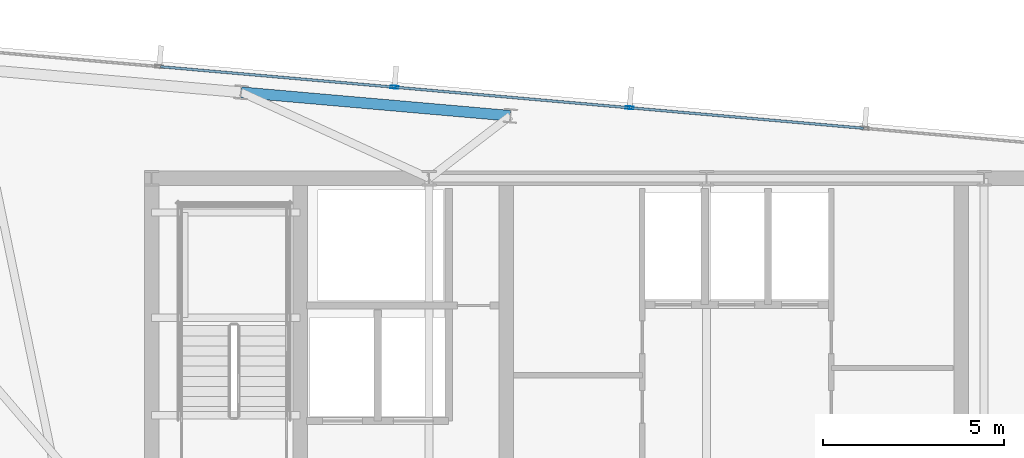
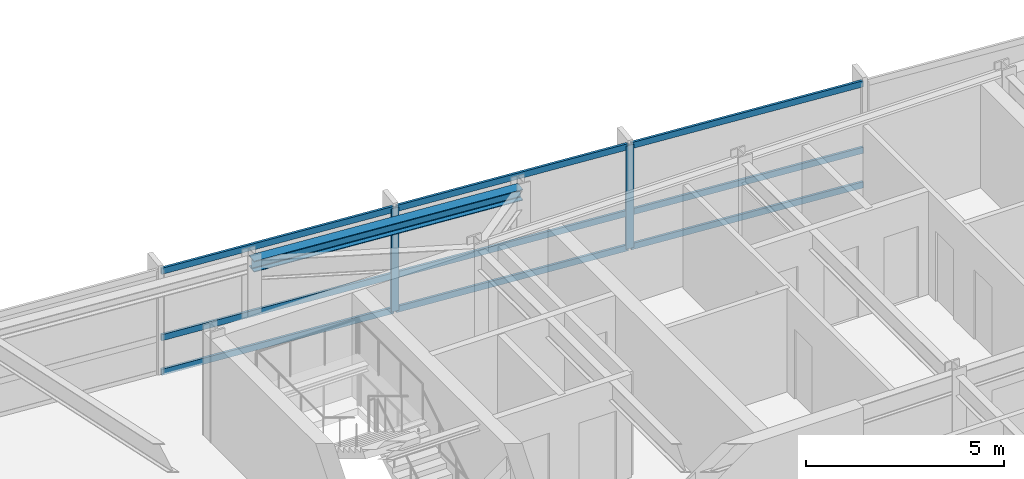
# One storey, part 16 of 24: 11 members, 1 beam, 1 element without a shape of its own.
"""IFC4 building model written with IfcOpenShell, lengths in metres."""

from ifc_helpers import new_model, si_unit, direction, frame, origin, origin_2d, place, context, subcontext, project, spatial, hollow_rectangle, i_section, extrude, material, material_profile, profile_set, type_object, element, aggregate, save


model = new_model("IFC4")

# Units and contexts
model_context = context("Model", 3, precision=1e-05, world=origin(), true_north=direction((0.0, 1.0)))
body_context = subcontext(model_context, "Body", "Model", "MODEL_VIEW")
ifc_project = project(units=[si_unit("LENGTHUNIT", "METRE"), si_unit("AREAUNIT", "SQUARE_METRE"), si_unit("VOLUMEUNIT", "CUBIC_METRE"), si_unit("PLANEANGLEUNIT", "RADIAN"), si_unit("MASSUNIT", "GRAM", prefix="KILO")], contexts=[model_context])

# Site, building, storey
site_placement = place(None, origin())
site = spatial("IfcSite", under=ifc_project, at=site_placement, CompositionType="ELEMENT")
building_placement = place(site_placement, origin())
building = spatial("IfcBuilding", under=site, at=building_placement, Name="Yelkora Congress Tower", CompositionType="ELEMENT")
storey_placement = place(building_placement, frame((0.0, 0.0, 296.5)))
storey = spatial("IfcBuildingStorey", under=building, at=storey_placement, Name="L83", CompositionType="ELEMENT", Elevation=296.5)

# Beam
ifc_material_1 = material(Name="Steel S355J2", Category="steel")
ifc_material_profile_1 = material_profile(ifc_material_1, i_section(OverallWidth=0.300048828125, OverallDepth=0.340087890625, WebThickness=0.011962890625, FlangeThickness=0.021484375, FilletRadius=0.027099609375, at=origin_2d()), Name="HEB 340")
ifc_profile_set_1 = profile_set([ifc_material_profile_1], Name="Steel S355J2")
beam_type = type_object("IfcBeamType", Name="BM-SPAN-HEB340", PredefinedType="SPANDREL", material=ifc_profile_set_1)
beam_placement = place(storey_placement, frame((32.968505859375, 47.927490234375, 3.010009765625), z_axis=(-0.996195771192, 0.087143476284, 0.0), x_axis=(-0.087143476284, -0.996195771192, 0.0)))
element("IfcBeam", 1, at=beam_placement, inside=storey, type_object=beam_type, Name="L83 Perimeter Beam 10", PredefinedType="SPANDREL", context=body_context, shape_type="SweptSolid", body=[
    extrude(i_section(OverallWidth=0.300048828125, OverallDepth=0.340087890625, WebThickness=0.011962890625, FlangeThickness=0.021484375, FilletRadius=0.027099609375, at=origin_2d()), origin(), (0.0, 0.0, 1.0), 7.483154296875),
])

# Curtain wall, members
ifc_material_2 = material(Name="Anodised aluminium and insulated glass", Category="aluminium")
curtain_wall_type = type_object("IfcCurtainWallType", Name="CW-SYS-SKY", PredefinedType="NOTDEFINED", material=ifc_material_2)
curtain_wall_placement = place(storey_placement, origin())
curtain_wall = element("IfcCurtainWall", 2, at=curtain_wall_placement, inside=storey, type_object=curtain_wall_type, Name="L83 Unitised Curtain Wall 10", PredefinedType="NOTDEFINED")
ifc_material_3 = material(Name="Anodised aluminium 6063-T6", Category="aluminium")
ifc_material_profile_2 = material_profile(ifc_material_3, hollow_rectangle(XDim=0.074951171875, YDim=0.219970703125, WallThickness=0.0048828125, at=origin_2d()), Name="ALU 75x220x5")
ifc_profile_set_2 = profile_set([ifc_material_profile_2], Name="Anodised aluminium 6063-T6")
member_type_1 = type_object("IfcMemberType", Name="MEM-ML-SKY", PredefinedType="MULLION", material=ifc_profile_set_2)
member_1_placement = place(storey_placement, frame((29.759765625, 48.719970703125, 0.0), z_axis=(0.0, 0.0, 1.0), x_axis=(0.087156639893, 0.996194619601, 0.0)))
member_1 = element("IfcMember", 3, at=member_1_placement, type_object=member_type_1, Name="CW-SKY mullion 4", PredefinedType="MULLION", context=body_context, shape_type="SweptSolid", body=[
    extrude(hollow_rectangle(XDim=0.074951171875, YDim=0.219970703125, WallThickness=0.0048828125, at=origin_2d()), origin(), (0.0, 0.0, 1.0), 3.179931640625),
])
member_2_placement = place(storey_placement, frame((36.266357421875, 48.15087890625, 0.0), z_axis=(0.0, 0.0, 1.0), x_axis=(0.087156639893, 0.996194619601, 0.0)))
member_2 = element("IfcMember", 4, at=member_2_placement, type_object=member_type_1, Name="CW-SKY mullion 5", PredefinedType="MULLION", context=body_context, shape_type="SweptSolid", body=[
    extrude(hollow_rectangle(XDim=0.074951171875, YDim=0.219970703125, WallThickness=0.0048828125, at=origin_2d()), origin(), (0.0, 0.0, 1.0), 3.179931640625),
])
ifc_material_profile_3 = material_profile(ifc_material_3, hollow_rectangle(XDim=0.070068359375, YDim=0.18994140625, WallThickness=0.00390625, at=origin_2d()), Name="ALU 70x190x4")
ifc_profile_set_3 = profile_set([ifc_material_profile_3], Name="Anodised aluminium 6063-T6")
member_type_2 = type_object("IfcMemberType", Name="MEM-TR-SKY", PredefinedType="USERDEFINED", material=ifc_profile_set_3)
member_3_placement = place(storey_placement, frame((23.29052734375, 49.2861328125, 0.034912109375), z_axis=(0.996194333134, -0.087159914135, 0.0), x_axis=(0.087159914135, 0.996194333134, 0.0)))
member_3 = element("IfcMember", 5, at=member_3_placement, type_object=member_type_2, Name="CW-SKY transom 3.1", ObjectType="TRANSOM", PredefinedType="USERDEFINED", context=body_context, shape_type="SweptSolid", body=[
    extrude(hollow_rectangle(XDim=0.070068359375, YDim=0.18994140625, WallThickness=0.00390625, at=origin_2d()), origin(), (0.0, 0.0, 1.0), 6.45654296875),
])
member_4_placement = place(storey_placement, frame((23.29052734375, 49.2861328125, 1.10009765625), z_axis=(0.996194333134, -0.087159914135, 0.0), x_axis=(0.087159914135, 0.996194333134, 0.0)))
member_4 = element("IfcMember", 6, at=member_4_placement, type_object=member_type_2, Name="CW-SKY transom 3.2", ObjectType="TRANSOM", PredefinedType="USERDEFINED", context=body_context, shape_type="SweptSolid", body=[
    extrude(hollow_rectangle(XDim=0.070068359375, YDim=0.18994140625, WallThickness=0.00390625, at=origin_2d()), origin(), (0.0, 0.0, 1.0), 6.45654296875),
])
member_5_placement = place(storey_placement, frame((23.29052734375, 49.2861328125, 3.14501953125), z_axis=(0.996194333134, -0.087159914135, 0.0), x_axis=(0.087159914135, 0.996194333134, 0.0)))
member_5 = element("IfcMember", 7, at=member_5_placement, type_object=member_type_2, Name="CW-SKY transom 3.3", ObjectType="TRANSOM", PredefinedType="USERDEFINED", context=body_context, shape_type="SweptSolid", body=[
    extrude(hollow_rectangle(XDim=0.070068359375, YDim=0.18994140625, WallThickness=0.00390625, at=origin_2d()), origin(), (0.0, 0.0, 1.0), 6.45654296875),
])
member_6_placement = place(storey_placement, frame((29.797119140625, 48.716796875, 0.034912109375), z_axis=(0.996194333134, -0.087159914135, 0.0), x_axis=(0.087159914135, 0.996194333134, 0.0)))
member_6 = element("IfcMember", 8, at=member_6_placement, type_object=member_type_2, Name="CW-SKY transom 4.1", ObjectType="TRANSOM", PredefinedType="USERDEFINED", context=body_context, shape_type="SweptSolid", body=[
    extrude(hollow_rectangle(XDim=0.070068359375, YDim=0.18994140625, WallThickness=0.00390625, at=origin_2d()), origin(), (0.0, 0.0, 1.0), 6.45654296875),
])
member_7_placement = place(storey_placement, frame((29.797119140625, 48.716796875, 1.10009765625), z_axis=(0.996194333134, -0.087159914135, 0.0), x_axis=(0.087159914135, 0.996194333134, 0.0)))
member_7 = element("IfcMember", 9, at=member_7_placement, type_object=member_type_2, Name="CW-SKY transom 4.2", ObjectType="TRANSOM", PredefinedType="USERDEFINED", context=body_context, shape_type="SweptSolid", body=[
    extrude(hollow_rectangle(XDim=0.070068359375, YDim=0.18994140625, WallThickness=0.00390625, at=origin_2d()), origin(), (0.0, 0.0, 1.0), 6.45654296875),
])
member_8_placement = place(storey_placement, frame((29.797119140625, 48.716796875, 3.14501953125), z_axis=(0.996194333134, -0.087159914135, 0.0), x_axis=(0.087159914135, 0.996194333134, 0.0)))
member_8 = element("IfcMember", 10, at=member_8_placement, type_object=member_type_2, Name="CW-SKY transom 4.3", ObjectType="TRANSOM", PredefinedType="USERDEFINED", context=body_context, shape_type="SweptSolid", body=[
    extrude(hollow_rectangle(XDim=0.070068359375, YDim=0.18994140625, WallThickness=0.00390625, at=origin_2d()), origin(), (0.0, 0.0, 1.0), 6.45654296875),
])
member_9_placement = place(storey_placement, frame((36.3037109375, 48.1474609375, 0.034912109375), z_axis=(0.996194333134, -0.087159914135, 0.0), x_axis=(0.087159914135, 0.996194333134, 0.0)))
member_9 = element("IfcMember", 11, at=member_9_placement, type_object=member_type_2, Name="CW-SKY transom 5.1", ObjectType="TRANSOM", PredefinedType="USERDEFINED", context=body_context, shape_type="SweptSolid", body=[
    extrude(hollow_rectangle(XDim=0.070068359375, YDim=0.18994140625, WallThickness=0.00390625, at=origin_2d()), origin(), (0.0, 0.0, 1.0), 6.45654296875),
])
member_10_placement = place(storey_placement, frame((36.3037109375, 48.1474609375, 1.10009765625), z_axis=(0.996194333134, -0.087159914135, 0.0), x_axis=(0.087159914135, 0.996194333134, 0.0)))
member_10 = element("IfcMember", 12, at=member_10_placement, type_object=member_type_2, Name="CW-SKY transom 5.2", ObjectType="TRANSOM", PredefinedType="USERDEFINED", context=body_context, shape_type="SweptSolid", body=[
    extrude(hollow_rectangle(XDim=0.070068359375, YDim=0.18994140625, WallThickness=0.00390625, at=origin_2d()), origin(), (0.0, 0.0, 1.0), 6.45654296875),
])
member_11_placement = place(storey_placement, frame((36.3037109375, 48.1474609375, 3.14501953125), z_axis=(0.996194333134, -0.087159914135, 0.0), x_axis=(0.087159914135, 0.996194333134, 0.0)))
member_11 = element("IfcMember", 13, at=member_11_placement, type_object=member_type_2, Name="CW-SKY transom 5.3", ObjectType="TRANSOM", PredefinedType="USERDEFINED", context=body_context, shape_type="SweptSolid", body=[
    extrude(hollow_rectangle(XDim=0.070068359375, YDim=0.18994140625, WallThickness=0.00390625, at=origin_2d()), origin(), (0.0, 0.0, 1.0), 6.45654296875),
])
aggregate(curtain_wall, [member_1, member_2, member_3, member_4, member_5, member_6, member_7, member_8, member_9, member_10, member_11])

save(model, "model.ifc")
